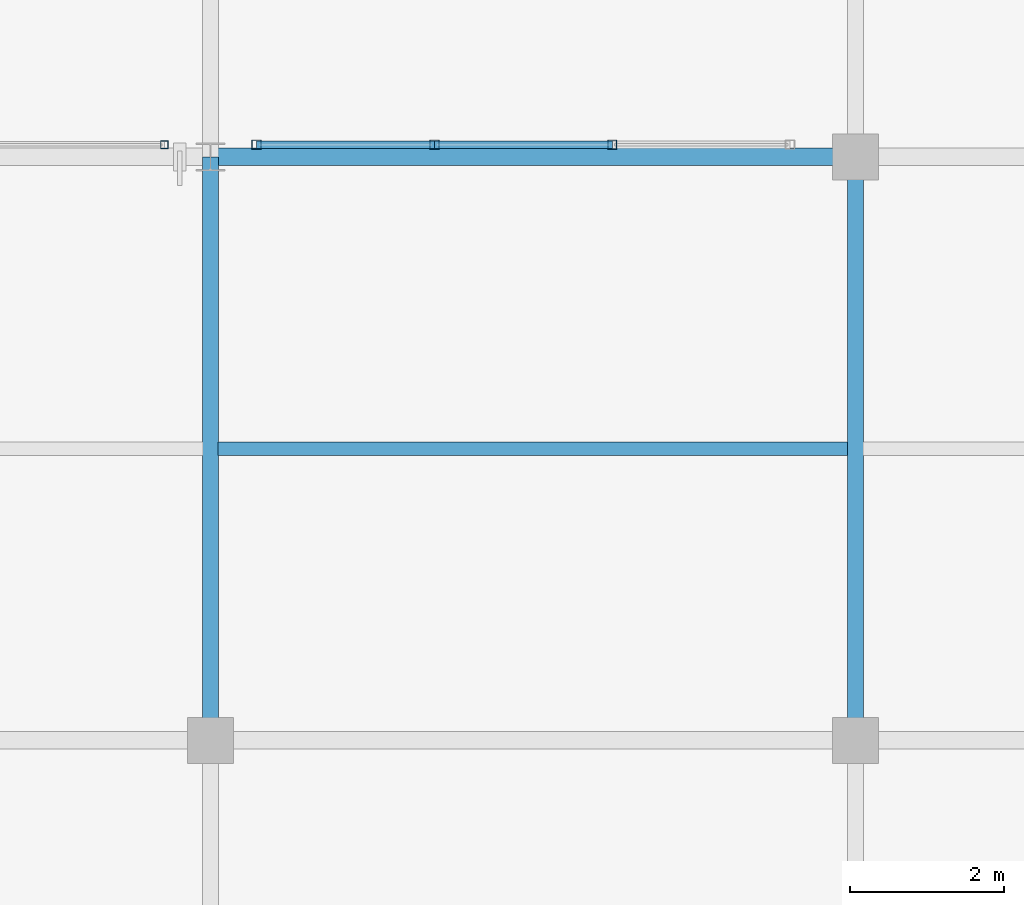
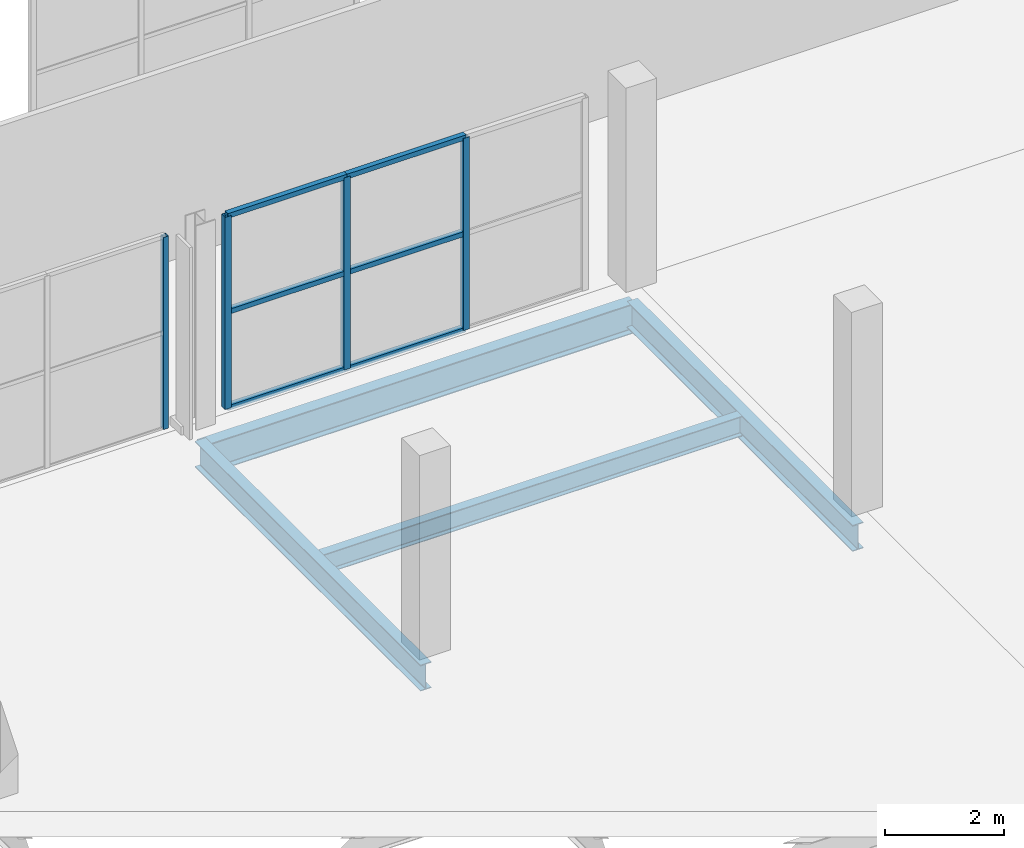
# One storey, part 32 of 217: 10 members, 4 beams, 2 elements without a shape of their own.
"""IFC4 building model written with IfcOpenShell, lengths in metres."""

from ifc_helpers import new_model, si_unit, direction, frame, origin, origin_2d, place, context, subcontext, project, spatial, hollow_rectangle, i_section, extrude, material, material_profile, profile_set, type_object, element, aggregate, save


model = new_model("IFC4")

# Units and contexts
model_context = context("Model", 3, precision=1e-05, world=origin(), true_north=direction((0.0, 1.0)))
body_context = subcontext(model_context, "Body", "Model", "MODEL_VIEW")
ifc_project = project(units=[si_unit("LENGTHUNIT", "METRE"), si_unit("AREAUNIT", "SQUARE_METRE"), si_unit("VOLUMEUNIT", "CUBIC_METRE"), si_unit("PLANEANGLEUNIT", "RADIAN"), si_unit("MASSUNIT", "GRAM", prefix="KILO")], contexts=[model_context])

# Site, building, storey
site_placement = place(None, origin())
site = spatial("IfcSite", under=ifc_project, at=site_placement, CompositionType="ELEMENT")
building_placement = place(site_placement, origin())
building = spatial("IfcBuilding", under=site, at=building_placement, Name="Zuvorla Pavilion Media Centre", CompositionType="ELEMENT")
storey_placement = place(building_placement, frame((0.0, 0.0, 9.60009765625)))
storey = spatial("IfcBuildingStorey", under=building, at=storey_placement, Name="L02", CompositionType="ELEMENT", Elevation=9.60009765625)

# Beams
ifc_material_1 = material(Name="Steel S355", Category="steel")
ifc_material_profile_1 = material_profile(ifc_material_1, i_section(OverallWidth=0.1787109375, OverallDepth=0.409423828125, WebThickness=0.0087890625, FlangeThickness=0.014404296875, FilletRadius=0.01025390625, at=origin_2d()), Name="UB 406x178x67")
ifc_profile_set_1 = profile_set([ifc_material_profile_1], Name="Steel S355")
beam_type_1 = type_object("IfcBeamType", Name="BM-UB406", PredefinedType="JOIST", material=ifc_profile_set_1)
beam_1_placement = place(storey_placement, frame((58.5, 40.199951171875, -0.6328125), z_axis=(1.0, 0.0, 0.0), x_axis=(0.0, 1.0, 0.0)))
element("IfcBeam", 1, at=beam_1_placement, inside=storey, type_object=beam_type_1, Name="L02 joist J02 1004", PredefinedType="JOIST", context=body_context, shape_type="SweptSolid", body=[
    extrude(i_section(OverallWidth=0.1787109375, OverallDepth=0.409423828125, WebThickness=0.0087890625, FlangeThickness=0.014404296875, FilletRadius=0.01025390625, at=origin_2d()), origin(), (0.0, 0.0, 1.0), 8.199951171875),
])
ifc_material_profile_2 = material_profile(ifc_material_1, i_section(OverallWidth=0.2099609375, OverallDepth=0.53662109375, WebThickness=0.0107421875, FlangeThickness=0.017333984375, FilletRadius=0.0126953125, at=origin_2d()), Name="UB 533x210x101")
ifc_profile_set_2 = profile_set([ifc_material_profile_2], Name="Steel S355")
beam_type_2 = type_object("IfcBeamType", Name="BM-UB533", PredefinedType="BEAM", material=ifc_profile_set_2)
for number, where, z_axis, x_axis, name in (
    (2, (58.39990234375, 36.39990234375, -0.62646484375), (0.0, 1.0, 0.0), (-1.0, 0.0, 0.0), "L02 beam B08 920"),
    (3, (66.800048828125, 36.39990234375, -0.6962890625), (0.0, 1.0, 0.0), (-1.0, 0.0, 0.0), "L02 beam B08 927"),
):
    element("IfcBeam", number, at=place(storey_placement, frame(where, z_axis=z_axis, x_axis=x_axis)), inside=storey, type_object=beam_type_2, Name=name, PredefinedType="BEAM", context=body_context, shape_type="SweptSolid", body=[
        extrude(i_section(OverallWidth=0.2099609375, OverallDepth=0.53662109375, WebThickness=0.0107421875, FlangeThickness=0.017333984375, FilletRadius=0.0126953125, at=origin_2d()), origin(), (0.0, 0.0, 1.0), 7.60009765625),
    ])
ifc_material_profile_3 = material_profile(ifc_material_1, i_section(OverallWidth=0.22900390625, OverallDepth=0.6123046875, WebThickness=0.011962890625, FlangeThickness=0.01953125, FilletRadius=0.0126953125, at=origin_2d()), Name="UB 610x229x125")
ifc_profile_set_3 = profile_set([ifc_material_profile_3], Name="Steel S355")
beam_type_3 = type_object("IfcBeamType", Name="BM-UB610", PredefinedType="BEAM", material=ifc_profile_set_3)
beam_2_placement = place(storey_placement, frame((58.39990234375, 44.0, -0.734130859375), z_axis=(1.0, 0.0, 0.0), x_axis=(0.0, 1.0, 0.0)))
element("IfcBeam", 4, at=beam_2_placement, inside=storey, type_object=beam_type_3, Name="L02 beam B07 823", PredefinedType="BEAM", context=body_context, shape_type="SweptSolid", body=[
    extrude(i_section(OverallWidth=0.22900390625, OverallDepth=0.6123046875, WebThickness=0.011962890625, FlangeThickness=0.01953125, FilletRadius=0.0126953125, at=origin_2d()), origin(), (0.0, 0.0, 1.0), 8.400146484375),
])

# Curtain wall, member
ifc_material_2 = material(Name="Unitised anodised aluminium and solar glass curtain wall", Category="aluminium")
curtain_wall_type_1 = type_object("IfcCurtainWallType", Name="CW-SYS-22", PredefinedType="USERDEFINED", material=ifc_material_2)
curtain_wall_1_placement = place(storey_placement, origin())
curtain_wall_1 = element("IfcCurtainWall", 5, at=curtain_wall_1_placement, inside=storey, type_object=curtain_wall_type_1, Name="L02 curtain wall CW22 41", ObjectType="CURTAIN WALL", PredefinedType="USERDEFINED")
ifc_material_3 = material(Name="Anodised aluminium 6063-T6", Category="aluminium")
ifc_material_profile_4 = material_profile(ifc_material_3, hollow_rectangle(XDim=0.10009765625, YDim=0.10009765625, WallThickness=0.00439453125, at=origin_2d()), Name="ALU MULL 100x100")
ifc_profile_set_4 = profile_set([ifc_material_profile_4], Name="Anodised aluminium 6063-T6")
member_type_1 = type_object("IfcMemberType", Name="CW-MULL-100", PredefinedType="MULLION", material=ifc_profile_set_4)
member_1_placement = place(storey_placement, frame((57.7998046875, 44.159912109375, 0.0), z_axis=(0.0, 0.0, 1.0), x_axis=(1.0, 0.0, 0.0)))
member_1 = element("IfcMember", 6, at=member_1_placement, type_object=member_type_1, Name="CW22 mullion 4", PredefinedType="MULLION", context=body_context, shape_type="SweptSolid", body=[
    extrude(hollow_rectangle(XDim=0.10009765625, YDim=0.10009765625, WallThickness=0.00439453125, at=origin_2d()), origin(), (0.0, 0.0, 1.0), 3.949951171875),
])
aggregate(curtain_wall_1, [member_1])

# Curtain wall, members
curtain_wall_type_2 = type_object("IfcCurtainWallType", Name="CW-SYS-23", PredefinedType="USERDEFINED", material=ifc_material_2)
curtain_wall_2_placement = place(storey_placement, origin())
curtain_wall_2 = element("IfcCurtainWall", 7, at=curtain_wall_2_placement, inside=storey, type_object=curtain_wall_type_2, Name="L02 curtain wall CW23 42", ObjectType="CURTAIN WALL", PredefinedType="USERDEFINED")
ifc_material_profile_5 = material_profile(ifc_material_3, hollow_rectangle(XDim=0.1201171875, YDim=0.1201171875, WallThickness=0.0048828125, at=origin_2d()), Name="ALU MULL 120x120")
ifc_profile_set_5 = profile_set([ifc_material_profile_5], Name="Anodised aluminium 6063-T6")
member_type_2 = type_object("IfcMemberType", Name="CW-MULL-120", PredefinedType="MULLION", material=ifc_profile_set_5)
member_2_placement = place(storey_placement, frame((59.000244140625, 44.159912109375, 0.0), z_axis=(0.0, 0.0, 1.0), x_axis=(1.0, 0.0, 0.0)))
member_2 = element("IfcMember", 8, at=member_2_placement, type_object=member_type_2, Name="CW23 mullion 1", PredefinedType="MULLION", context=body_context, shape_type="SweptSolid", body=[
    extrude(hollow_rectangle(XDim=0.1201171875, YDim=0.1201171875, WallThickness=0.0048828125, at=origin_2d()), origin(), (0.0, 0.0, 1.0), 3.949951171875),
])
member_3_placement = place(storey_placement, frame((61.316650390625, 44.159912109375, 0.0), z_axis=(0.0, 0.0, 1.0), x_axis=(1.0, 0.0, 0.0)))
member_3 = element("IfcMember", 9, at=member_3_placement, type_object=member_type_2, Name="CW23 mullion 2", PredefinedType="MULLION", context=body_context, shape_type="SweptSolid", body=[
    extrude(hollow_rectangle(XDim=0.1201171875, YDim=0.1201171875, WallThickness=0.0048828125, at=origin_2d()), origin(), (0.0, 0.0, 1.0), 3.949951171875),
])
member_4_placement = place(storey_placement, frame((63.63330078125, 44.159912109375, 0.0), z_axis=(0.0, 0.0, 1.0), x_axis=(1.0, 0.0, 0.0)))
member_4 = element("IfcMember", 10, at=member_4_placement, type_object=member_type_2, Name="CW23 mullion 3", PredefinedType="MULLION", context=body_context, shape_type="SweptSolid", body=[
    extrude(hollow_rectangle(XDim=0.1201171875, YDim=0.1201171875, WallThickness=0.0048828125, at=origin_2d()), origin(), (0.0, 0.0, 1.0), 3.949951171875),
])
ifc_material_profile_6 = material_profile(ifc_material_3, hollow_rectangle(XDim=0.10009765625, YDim=0.10009765625, WallThickness=0.00439453125, at=origin_2d()), Name="ALU TRAN 100x100")
ifc_profile_set_6 = profile_set([ifc_material_profile_6], Name="Anodised aluminium 6063-T6")
member_type_3 = type_object("IfcMemberType", Name="CW-TRAN-100", PredefinedType="USERDEFINED", material=ifc_profile_set_6)
member_5_placement = place(storey_placement, frame((59.000244140625, 44.159912109375, 0.0), z_axis=(1.0, 0.0, 0.0), x_axis=(0.0, 1.0, 0.0)))
member_5 = element("IfcMember", 11, at=member_5_placement, type_object=member_type_3, Name="CW23 transom 1.1", ObjectType="TRANSOM", PredefinedType="USERDEFINED", context=body_context, shape_type="SweptSolid", body=[
    extrude(hollow_rectangle(XDim=0.10009765625, YDim=0.10009765625, WallThickness=0.00439453125, at=origin_2d()), origin(), (0.0, 0.0, 1.0), 2.31640625),
])
member_6_placement = place(storey_placement, frame((59.000244140625, 44.159912109375, 1.974853515625), z_axis=(1.0, 0.0, 0.0), x_axis=(0.0, 1.0, 0.0)))
member_6 = element("IfcMember", 12, at=member_6_placement, type_object=member_type_3, Name="CW23 transom 1.2", ObjectType="TRANSOM", PredefinedType="USERDEFINED", context=body_context, shape_type="SweptSolid", body=[
    extrude(hollow_rectangle(XDim=0.10009765625, YDim=0.10009765625, WallThickness=0.00439453125, at=origin_2d()), origin(), (0.0, 0.0, 1.0), 2.31640625),
])
member_7_placement = place(storey_placement, frame((59.000244140625, 44.159912109375, 3.949951171875), z_axis=(1.0, 0.0, 0.0), x_axis=(0.0, 1.0, 0.0)))
member_7 = element("IfcMember", 13, at=member_7_placement, type_object=member_type_3, Name="CW23 transom 1.3", ObjectType="TRANSOM", PredefinedType="USERDEFINED", context=body_context, shape_type="SweptSolid", body=[
    extrude(hollow_rectangle(XDim=0.10009765625, YDim=0.10009765625, WallThickness=0.00439453125, at=origin_2d()), origin(), (0.0, 0.0, 1.0), 2.31640625),
])
member_8_placement = place(storey_placement, frame((61.316650390625, 44.159912109375, 0.0), z_axis=(1.0, 0.0, 0.0), x_axis=(0.0, 1.0, 0.0)))
member_8 = element("IfcMember", 14, at=member_8_placement, type_object=member_type_3, Name="CW23 transom 2.1", ObjectType="TRANSOM", PredefinedType="USERDEFINED", context=body_context, shape_type="SweptSolid", body=[
    extrude(hollow_rectangle(XDim=0.10009765625, YDim=0.10009765625, WallThickness=0.00439453125, at=origin_2d()), origin(), (0.0, 0.0, 1.0), 2.316650390625),
])
member_9_placement = place(storey_placement, frame((61.316650390625, 44.159912109375, 1.974853515625), z_axis=(1.0, 0.0, 0.0), x_axis=(0.0, 1.0, 0.0)))
member_9 = element("IfcMember", 15, at=member_9_placement, type_object=member_type_3, Name="CW23 transom 2.2", ObjectType="TRANSOM", PredefinedType="USERDEFINED", context=body_context, shape_type="SweptSolid", body=[
    extrude(hollow_rectangle(XDim=0.10009765625, YDim=0.10009765625, WallThickness=0.00439453125, at=origin_2d()), origin(), (0.0, 0.0, 1.0), 2.316650390625),
])
member_10_placement = place(storey_placement, frame((61.316650390625, 44.159912109375, 3.949951171875), z_axis=(1.0, 0.0, 0.0), x_axis=(0.0, 1.0, 0.0)))
member_10 = element("IfcMember", 16, at=member_10_placement, type_object=member_type_3, Name="CW23 transom 2.3", ObjectType="TRANSOM", PredefinedType="USERDEFINED", context=body_context, shape_type="SweptSolid", body=[
    extrude(hollow_rectangle(XDim=0.10009765625, YDim=0.10009765625, WallThickness=0.00439453125, at=origin_2d()), origin(), (0.0, 0.0, 1.0), 2.316650390625),
])
aggregate(curtain_wall_2, [member_2, member_3, member_4, member_5, member_6, member_7, member_8, member_9, member_10])

save(model, "model.ifc")
